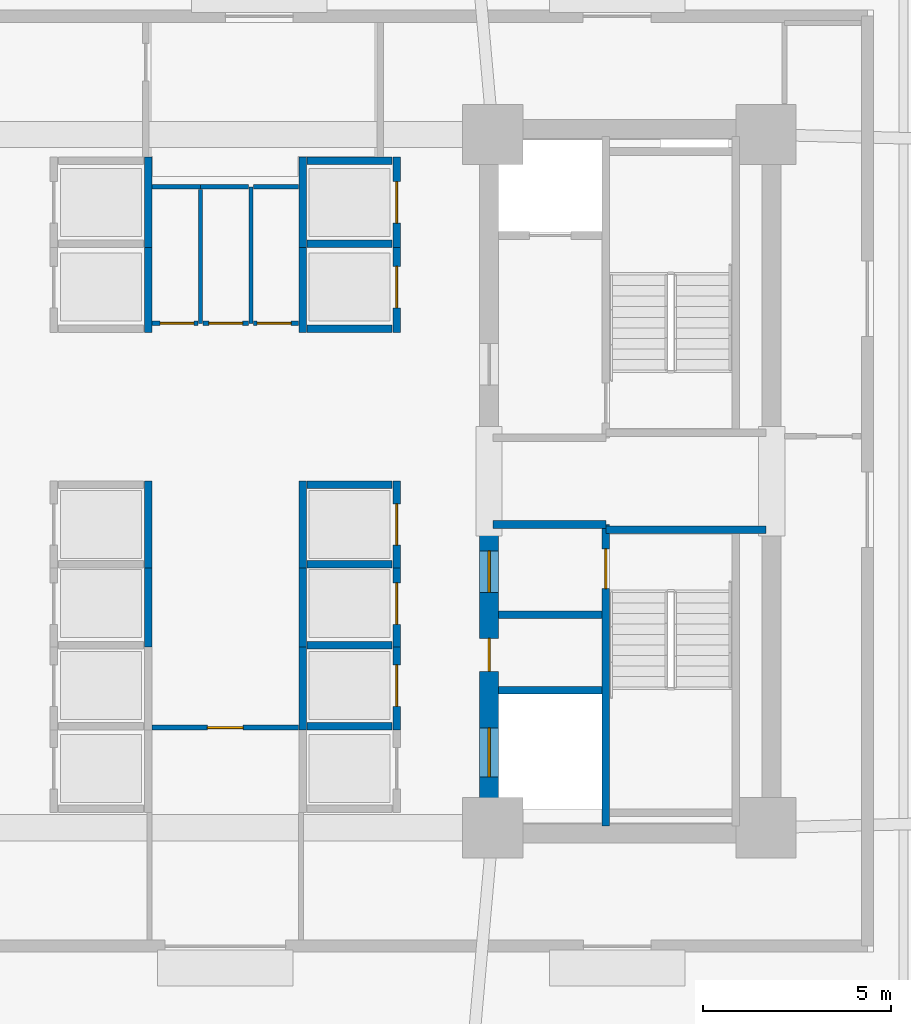
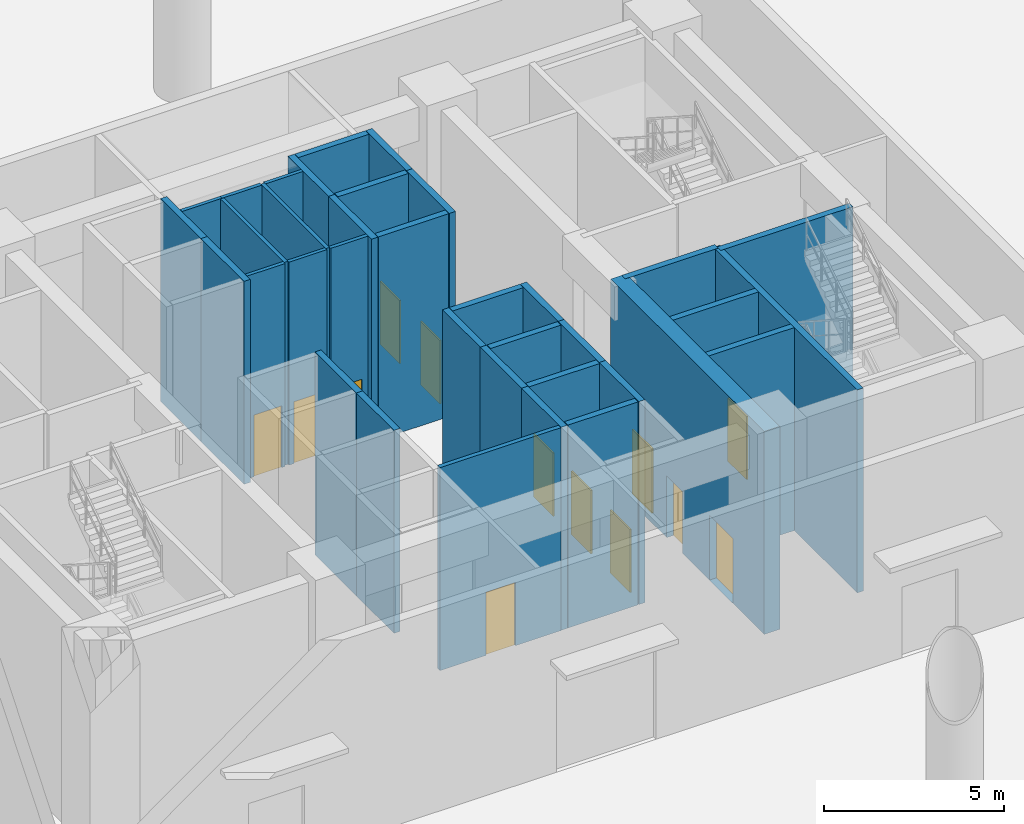
# One storey, part 4 of 10: 36 walls, 13 doors, 13 openings.
"""IFC4 building model written with IfcOpenShell, lengths in metres."""

from ifc_helpers import new_model, si_unit, direction, frame, frame_2d, origin, place, context, subcontext, project, spatial, rectangle, extrude, source, transform, mapped, material, layer, layer_set, type_object, element, fill, save


model = new_model("IFC4")

# Units and contexts
model_context = context("Model", 3, precision=1e-05, world=origin(), true_north=direction((0.0, 1.0)))
body_context = subcontext(model_context, "Body", "Model", "MODEL_VIEW")
ifc_project = project(units=[si_unit("LENGTHUNIT", "METRE"), si_unit("AREAUNIT", "SQUARE_METRE"), si_unit("VOLUMEUNIT", "CUBIC_METRE"), si_unit("PLANEANGLEUNIT", "RADIAN"), si_unit("MASSUNIT", "GRAM", prefix="KILO")], contexts=[model_context])

# Site, building, storey
site_placement = place(None, origin())
site = spatial("IfcSite", under=ifc_project, at=site_placement, CompositionType="ELEMENT")
building_placement = place(site_placement, origin())
building = spatial("IfcBuilding", under=site, at=building_placement, Name="Zahravan Cultural Tower", CompositionType="ELEMENT")
storey_placement = place(building_placement, origin())
storey = spatial("IfcBuildingStorey", under=building, at=storey_placement, Name="L00", CompositionType="ELEMENT", Elevation=0.0)

# Wall, openings, doors
ifc_material_1 = material(Name="Concrete C60/75", Category="concrete")
ifc_layer_1 = layer(ifc_material_1, 0.5)
ifc_layer_set_1 = layer_set([ifc_layer_1], Name="Concrete C60/75")
wall_type_1 = type_object("IfcWallType", Name="CW-SHEAR-500-C60", PredefinedType="SHEAR", material=ifc_layer_set_1)
wall_1_placement = place(storey_placement, frame((43.0, 17.39990234375, 0.0), z_axis=(0.0, 0.0, 1.0), x_axis=(0.0, 1.0, 0.0)))
wall_1 = element("IfcWall", 1, at=wall_1_placement, inside=storey, type_object=wall_type_1, Name="L00 Core Shear Wall CW-E-WS-L00", PredefinedType="SHEAR", context=body_context, shape_type="SweptSolid", body=[
    extrude(rectangle(XDim=8.550048828125, YDim=0.5, at=frame_2d((4.27490234375, 0.0))), origin(), (0.0, 0.0, 1.0), 6.89990234375),
])
opening_1_placement = place(wall_1_placement, frame((6.64990234375, 0.0, 0.0)))
opening_1 = element("IfcOpeningElement", 2, at=opening_1_placement, cuts=wall_1, Name="Opening D-L00-08", PredefinedType="OPENING", context=body_context, shape_type="SweptSolid", body=[
    extrude(rectangle(XDim=1.10009765625, YDim=2.199951171875, at=frame_2d((0.550048828125, 1.10009765625))), frame((0.0, 0.260009765625, 0.0), z_axis=(0.0, -1.0, 0.0), x_axis=(1.0, 0.0, 0.0)), (0.0, 0.0, 1.0), 0.52001953125),
])
opening_2_placement = place(wall_1_placement, frame((1.75, 0.0, 0.0)))
opening_2 = element("IfcOpeningElement", 3, at=opening_2_placement, cuts=wall_1, Name="Opening LD-L00-03", PredefinedType="OPENING", context=body_context, shape_type="SweptSolid", body=[
    extrude(rectangle(XDim=1.300048828125, YDim=2.199951171875, at=frame_2d((0.64990234375, 1.10009765625))), frame((0.0, 0.260009765625, 0.0), z_axis=(0.0, -1.0, 0.0), x_axis=(1.0, 0.0, 0.0)), (0.0, 0.0, 1.0), 0.52001953125),
])
opening_3_placement = place(wall_1_placement, frame((4.550048828125, 0.0, 0.0)))
opening_3 = element("IfcOpeningElement", 4, at=opening_3_placement, cuts=wall_1, Name="Opening D-L00-10", PredefinedType="OPENING", context=body_context, shape_type="SweptSolid", body=[
    extrude(rectangle(XDim=0.8798828125, YDim=2.10009765625, at=frame_2d((0.43994140625, 1.050048828125))), frame((0.0, 0.260009765625, 0.0), z_axis=(0.0, -1.0, 0.0), x_axis=(1.0, 0.0, 0.0)), (0.0, 0.0, 1.0), 0.52001953125),
])
ifc_material_2 = material(Name="Steel ASTM A572 Grade 50", Category="steel")
door_type_1 = type_object("IfcDoorType", Name="DR-LOBBY-1100", OperationType="NOTDEFINED", PredefinedType="DOOR", material=ifc_material_2)
shared_shape_1 = source(origin(), body_context, "Body", "SweptSolid", [
    extrude(rectangle(XDim=1.10009765625, YDim=2.199951171875, at=frame_2d((0.550048828125, 1.10009765625))), frame((0.0, 0.02490234375, 0.0), z_axis=(0.0, -1.0, 0.0), x_axis=(1.0, 0.0, 0.0)), (0.0, 0.0, 1.0), 0.050048828125),
])
door_1_placement = place(opening_1_placement, origin())
door_1 = element("IfcDoor", 5, at=door_1_placement, inside=storey, type_object=door_type_1, Name="L00 Door D-L00-08", OperationType="SINGLE_SWING_RIGHT", OverallHeight=2.199951171875, OverallWidth=1.10009765625, PredefinedType="DOOR", context=body_context, shape_type="MappedRepresentation", body=[
    mapped(shared_shape_1, transform((0.0, 0.0, 0.0), x_axis=(1.0, 0.0, 0.0), y_axis=(0.0, 1.0, 0.0), z_axis=(0.0, 0.0, 1.0), scale=1.0)),
])
fill(opening_1, door_1)
door_type_2 = type_object("IfcDoorType", Name="DR-LIFT-1300", OperationType="DOUBLE_DOOR_SLIDING", PredefinedType="DOOR", material=ifc_material_2)
shared_shape_2 = source(origin(), body_context, "Body", "SweptSolid", [
    extrude(rectangle(XDim=1.300048828125, YDim=2.199951171875, at=frame_2d((0.64990234375, 1.10009765625))), frame((0.0, 0.02490234375, 0.0), z_axis=(0.0, -1.0, 0.0), x_axis=(1.0, 0.0, 0.0)), (0.0, 0.0, 1.0), 0.050048828125),
])
door_2_placement = place(opening_2_placement, origin())
door_2 = element("IfcDoor", 6, at=door_2_placement, inside=storey, type_object=door_type_2, Name="L00 Door LD-L00-03", OperationType="DOUBLE_DOOR_SLIDING", OverallHeight=2.199951171875, OverallWidth=1.300048828125, PredefinedType="DOOR", context=body_context, shape_type="MappedRepresentation", body=[
    mapped(shared_shape_2, transform((0.0, 0.0, 0.0), x_axis=(1.0, 0.0, 0.0), y_axis=(0.0, 1.0, 0.0), z_axis=(0.0, 0.0, 1.0), scale=1.0)),
])
fill(opening_2, door_2)
door_type_3 = type_object("IfcDoorType", Name="DR-SVC-880", OperationType="NOTDEFINED", PredefinedType="DOOR", material=ifc_material_2)
shared_shape_3 = source(origin(), body_context, "Body", "SweptSolid", [
    extrude(rectangle(XDim=0.8798828125, YDim=2.10009765625, at=frame_2d((0.43994140625, 1.050048828125))), frame((0.0, 0.02490234375, 0.0), z_axis=(0.0, -1.0, 0.0), x_axis=(1.0, 0.0, 0.0)), (0.0, 0.0, 1.0), 0.050048828125),
])
door_3_placement = place(opening_3_placement, origin())
door_3 = element("IfcDoor", 7, at=door_3_placement, inside=storey, type_object=door_type_3, Name="L00 Door D-L00-10", OperationType="SINGLE_SWING_RIGHT", OverallHeight=2.10009765625, OverallWidth=0.8798828125, PredefinedType="DOOR", context=body_context, shape_type="MappedRepresentation", body=[
    mapped(shared_shape_3, transform((0.0, 0.0, 0.0), x_axis=(1.0, 0.0, 0.0), y_axis=(0.0, 1.0, 0.0), z_axis=(0.0, 0.0, 1.0), scale=1.0)),
])
fill(opening_3, door_3)

# Wall, opening, door
ifc_material_3 = material(Name="Gypsum plasterboard partition")
ifc_layer_2 = layer(ifc_material_3, 0.139892578125)
ifc_layer_set_2 = layer_set([ifc_layer_2], Name="Gypsum plasterboard partition")
wall_type_2 = type_object("IfcWallType", Name="W-PART-140", PredefinedType="PARTITIONING", material=ifc_layer_set_2)
wall_2_placement = place(storey_placement, frame((34.054931640625, 20.4599609375, 0.0), z_axis=(0.0, 0.0, 1.0), x_axis=(1.0, 0.0, 0.0)))
wall_2 = element("IfcWall", 8, at=wall_2_placement, inside=storey, type_object=wall_type_2, Name="L00 Interior Wall 075", PredefinedType="PARTITIONING", context=body_context, shape_type="SweptSolid", body=[
    extrude(rectangle(XDim=3.89013671875, YDim=0.139892578125, at=frame_2d((1.945068359375, 0.0))), origin(), (0.0, 0.0, 1.0), 6.89990234375),
])
opening_4_placement = place(wall_2_placement, frame((1.469970703125, 0.0, 0.0)))
opening_4 = element("IfcOpeningElement", 9, at=opening_4_placement, cuts=wall_2, Name="Opening D-L00-12", PredefinedType="OPENING", context=body_context, shape_type="SweptSolid", body=[
    extrude(rectangle(XDim=0.949951171875, YDim=2.14990234375, at=frame_2d((0.47509765625, 1.074951171875))), frame((0.0, 0.079833984375, 0.0), z_axis=(0.0, -1.0, 0.0), x_axis=(1.0, 0.0, 0.0)), (0.0, 0.0, 1.0), 0.159912109375),
])
ifc_material_4 = material(Name="Anodised bronze-aluminium mullion", Category="aluminium")
door_type_4 = type_object("IfcDoorType", Name="DR-ROOM-950", OperationType="NOTDEFINED", PredefinedType="DOOR", material=ifc_material_4)
shared_shape_4 = source(origin(), body_context, "Body", "SweptSolid", [
    extrude(rectangle(XDim=0.949951171875, YDim=2.14990234375, at=frame_2d((0.47509765625, 1.074951171875))), frame((0.0, 0.02490234375, 0.0), z_axis=(0.0, -1.0, 0.0), x_axis=(1.0, 0.0, 0.0)), (0.0, 0.0, 1.0), 0.050048828125),
])
door_4_placement = place(opening_4_placement, origin())
door_4 = element("IfcDoor", 10, at=door_4_placement, inside=storey, type_object=door_type_4, Name="L00 Door D-L00-12", OperationType="SINGLE_SWING_RIGHT", OverallHeight=2.14990234375, OverallWidth=0.949951171875, PredefinedType="DOOR", context=body_context, shape_type="MappedRepresentation", body=[
    mapped(shared_shape_4, transform((0.0, 0.0, 0.0), x_axis=(1.0, 0.0, 0.0), y_axis=(0.0, 1.0, 0.0), z_axis=(0.0, 0.0, 1.0), scale=1.0)),
])
fill(opening_4, door_4)

ifc_material_5 = material(Name="Concrete C45/55", Category="concrete")
ifc_layer_3 = layer(ifc_material_5, 0.199951171875)
ifc_layer_set_3 = layer_set([ifc_layer_3], Name="Concrete C45/55")
wall_type_3 = type_object("IfcWallType", Name="W-SHAFT-200", PredefinedType="SOLIDWALL", material=ifc_layer_set_3)
wall_3_placement = place(storey_placement, frame((46.10009765625, 17.85009765625, 0.0), z_axis=(0.0, 0.0, 1.0), x_axis=(0.0, 1.0, 0.0)))
wall_3 = element("IfcWall", 11, at=wall_3_placement, inside=storey, type_object=wall_type_3, Name="L00 Interior Wall 007", PredefinedType="SOLIDWALL", context=body_context, shape_type="SweptSolid", body=[
    extrude(rectangle(XDim=8.0, YDim=0.199951171875, at=frame_2d((4.0, 0.0))), origin(), (0.0, 0.0, 1.0), 6.89990234375),
])
opening_5_placement = place(wall_3_placement, frame((6.300048828125, 0.0, 0.0)))
opening_5 = element("IfcOpeningElement", 12, at=opening_5_placement, cuts=wall_3, Name="Opening D-L00-03", PredefinedType="OPENING", context=body_context, shape_type="SweptSolid", body=[
    extrude(rectangle(XDim=1.050048828125, YDim=2.14990234375, at=frame_2d((0.52490234375, 1.074951171875))), frame((0.0, 0.10986328125, 0.0), z_axis=(0.0, -1.0, 0.0), x_axis=(1.0, 0.0, 0.0)), (0.0, 0.0, 1.0), 0.219970703125),
])
door_type_5 = type_object("IfcDoorType", Name="DR-STAIR-1050", OperationType="NOTDEFINED", PredefinedType="DOOR", material=ifc_material_2)
shared_shape_5 = source(origin(), body_context, "Body", "SweptSolid", [
    extrude(rectangle(XDim=1.050048828125, YDim=2.14990234375, at=frame_2d((0.52490234375, 1.074951171875))), frame((0.0, 0.02490234375, 0.0), z_axis=(0.0, -1.0, 0.0), x_axis=(1.0, 0.0, 0.0)), (0.0, 0.0, 1.0), 0.050048828125),
])
door_5_placement = place(opening_5_placement, origin())
door_5 = element("IfcDoor", 13, at=door_5_placement, inside=storey, type_object=door_type_5, Name="L00 Door D-L00-03", OperationType="SINGLE_SWING_LEFT", OverallHeight=2.14990234375, OverallWidth=1.050048828125, PredefinedType="DOOR", context=body_context, shape_type="MappedRepresentation", body=[
    mapped(shared_shape_5, transform((0.0, 0.0, 0.0), x_axis=(1.0, 0.0, 0.0), y_axis=(0.0, 1.0, 0.0), z_axis=(0.0, 0.0, 1.0), scale=1.0)),
])
fill(opening_5, door_5)

wall_4_placement = place(storey_placement, frame((40.550048828125, 33.199951171875, 0.0), z_axis=(0.0, 0.0, 1.0), x_axis=(0.0, 1.0, 0.0)))
wall_4 = element("IfcWall", 14, at=wall_4_placement, inside=storey, type_object=wall_type_3, Name="L00 Interior Wall 034", PredefinedType="SOLIDWALL", context=body_context, shape_type="SweptSolid", body=[
    extrude(rectangle(XDim=2.400146484375, YDim=0.199951171875, at=frame_2d((1.2001953125, 0.0))), origin(), (0.0, 0.0, 1.0), 6.89990234375),
])
opening_6_placement = place(wall_4_placement, frame((0.64990234375, 0.0, 0.0)))
opening_6 = element("IfcOpeningElement", 15, at=opening_6_placement, cuts=wall_4, Name="Opening LD-L00-06", PredefinedType="OPENING", context=body_context, shape_type="SweptSolid", body=[
    extrude(rectangle(XDim=1.10009765625, YDim=2.14990234375, at=frame_2d((0.550048828125, 1.074951171875))), frame((0.0, 0.10986328125, 0.0), z_axis=(0.0, -1.0, 0.0), x_axis=(1.0, 0.0, 0.0)), (0.0, 0.0, 1.0), 0.219970703125),
])
door_type_6 = type_object("IfcDoorType", Name="DR-LIFT-1100", OperationType="DOUBLE_DOOR_SLIDING", PredefinedType="DOOR", material=ifc_material_2)
shared_shape_6 = source(origin(), body_context, "Body", "SweptSolid", [
    extrude(rectangle(XDim=1.10009765625, YDim=2.14990234375, at=frame_2d((0.550048828125, 1.074951171875))), frame((0.0, 0.02490234375, 0.0), z_axis=(0.0, -1.0, 0.0), x_axis=(1.0, 0.0, 0.0)), (0.0, 0.0, 1.0), 0.050048828125),
])
door_6_placement = place(opening_6_placement, origin())
door_6 = element("IfcDoor", 16, at=door_6_placement, inside=storey, type_object=door_type_6, Name="L00 Door LD-L00-06", OperationType="DOUBLE_DOOR_SLIDING", OverallHeight=2.14990234375, OverallWidth=1.10009765625, PredefinedType="DOOR", context=body_context, shape_type="MappedRepresentation", body=[
    mapped(shared_shape_6, transform((0.0, 0.0, 0.0), x_axis=(1.0, 0.0, 0.0), y_axis=(0.0, 1.0, 0.0), z_axis=(0.0, 0.0, 1.0), scale=1.0)),
])
fill(opening_6, door_6)

wall_5_placement = place(storey_placement, frame((40.550048828125, 30.949951171875, 0.0), z_axis=(0.0, 0.0, 1.0), x_axis=(0.0, 1.0, 0.0)))
wall_5 = element("IfcWall", 17, at=wall_5_placement, inside=storey, type_object=wall_type_3, Name="L00 Interior Wall 038", PredefinedType="SOLIDWALL", context=body_context, shape_type="SweptSolid", body=[
    extrude(rectangle(XDim=2.400146484375, YDim=0.199951171875, at=frame_2d((1.2001953125, 0.0))), origin(), (0.0, 0.0, 1.0), 6.89990234375),
])
opening_7_placement = place(wall_5_placement, frame((0.64990234375, 0.0, 0.0)))
opening_7 = element("IfcOpeningElement", 18, at=opening_7_placement, cuts=wall_5, Name="Opening LD-L00-07", PredefinedType="OPENING", context=body_context, shape_type="SweptSolid", body=[
    extrude(rectangle(XDim=1.10009765625, YDim=2.14990234375, at=frame_2d((0.550048828125, 1.074951171875))), frame((0.0, 0.10986328125, 0.0), z_axis=(0.0, -1.0, 0.0), x_axis=(1.0, 0.0, 0.0)), (0.0, 0.0, 1.0), 0.219970703125),
])
door_7_placement = place(opening_7_placement, origin())
door_7 = element("IfcDoor", 19, at=door_7_placement, inside=storey, type_object=door_type_6, Name="L00 Door LD-L00-07", OperationType="DOUBLE_DOOR_SLIDING", OverallHeight=2.14990234375, OverallWidth=1.10009765625, PredefinedType="DOOR", context=body_context, shape_type="MappedRepresentation", body=[
    mapped(shared_shape_6, transform((0.0, 0.0, 0.0), x_axis=(1.0, 0.0, 0.0), y_axis=(0.0, 1.0, 0.0), z_axis=(0.0, 0.0, 1.0), scale=1.0)),
])
fill(opening_7, door_7)

wall_6_placement = place(storey_placement, frame((40.550048828125, 20.39990234375, 0.0), z_axis=(0.0, 0.0, 1.0), x_axis=(0.0, 1.0, 0.0)))
wall_6 = element("IfcWall", 20, at=wall_6_placement, inside=storey, type_object=wall_type_3, Name="L00 Interior Wall 048", PredefinedType="SOLIDWALL", context=body_context, shape_type="SweptSolid", body=[
    extrude(rectangle(XDim=2.35009765625, YDim=0.199951171875, at=frame_2d((1.175048828125, 0.0))), origin(), (0.0, 0.0, 1.0), 6.89990234375),
])
opening_8_placement = place(wall_6_placement, frame((0.625, 0.0, 0.0)))
opening_8 = element("IfcOpeningElement", 21, at=opening_8_placement, cuts=wall_6, Name="Opening LD-L00-10", PredefinedType="OPENING", context=body_context, shape_type="SweptSolid", body=[
    extrude(rectangle(XDim=1.10009765625, YDim=2.14990234375, at=frame_2d((0.550048828125, 1.074951171875))), frame((0.0, 0.10986328125, 0.0), z_axis=(0.0, -1.0, 0.0), x_axis=(1.0, 0.0, 0.0)), (0.0, 0.0, 1.0), 0.219970703125),
])
door_8_placement = place(opening_8_placement, origin())
door_8 = element("IfcDoor", 22, at=door_8_placement, inside=storey, type_object=door_type_6, Name="L00 Door LD-L00-10", OperationType="DOUBLE_DOOR_SLIDING", OverallHeight=2.14990234375, OverallWidth=1.10009765625, PredefinedType="DOOR", context=body_context, shape_type="MappedRepresentation", body=[
    mapped(shared_shape_6, transform((0.0, 0.0, 0.0), x_axis=(1.0, 0.0, 0.0), y_axis=(0.0, 1.0, 0.0), z_axis=(0.0, 0.0, 1.0), scale=1.0)),
])
fill(opening_8, door_8)

wall_7_placement = place(storey_placement, frame((40.550048828125, 24.699951171875, 0.0), z_axis=(0.0, 0.0, 1.0), x_axis=(0.0, 1.0, 0.0)))
wall_7 = element("IfcWall", 23, at=wall_7_placement, inside=storey, type_object=wall_type_3, Name="L00 Interior Wall 061", PredefinedType="SOLIDWALL", context=body_context, shape_type="SweptSolid", body=[
    extrude(rectangle(XDim=2.300048828125, YDim=0.199951171875, at=frame_2d((1.14990234375, 0.0))), origin(), (0.0, 0.0, 1.0), 6.89990234375),
])
opening_9_placement = place(wall_7_placement, frame((0.60009765625, 0.0, 0.0)))
opening_9 = element("IfcOpeningElement", 24, at=opening_9_placement, cuts=wall_7, Name="Opening LD-L00-14", PredefinedType="OPENING", context=body_context, shape_type="SweptSolid", body=[
    extrude(rectangle(XDim=1.10009765625, YDim=2.14990234375, at=frame_2d((0.550048828125, 1.074951171875))), frame((0.0, 0.10986328125, 0.0), z_axis=(0.0, -1.0, 0.0), x_axis=(1.0, 0.0, 0.0)), (0.0, 0.0, 1.0), 0.219970703125),
])
door_9_placement = place(opening_9_placement, origin())
door_9 = element("IfcDoor", 25, at=door_9_placement, inside=storey, type_object=door_type_6, Name="L00 Door LD-L00-14", OperationType="DOUBLE_DOOR_SLIDING", OverallHeight=2.14990234375, OverallWidth=1.10009765625, PredefinedType="DOOR", context=body_context, shape_type="MappedRepresentation", body=[
    mapped(shared_shape_6, transform((0.0, 0.0, 0.0), x_axis=(1.0, 0.0, 0.0), y_axis=(0.0, 1.0, 0.0), z_axis=(0.0, 0.0, 1.0), scale=1.0)),
])
fill(opening_9, door_9)

wall_8_placement = place(storey_placement, frame((40.550048828125, 22.60009765625, 0.0), z_axis=(0.0, 0.0, 1.0), x_axis=(0.0, 1.0, 0.0)))
wall_8 = element("IfcWall", 26, at=wall_8_placement, inside=storey, type_object=wall_type_3, Name="L00 Interior Wall 065", PredefinedType="SOLIDWALL", context=body_context, shape_type="SweptSolid", body=[
    extrude(rectangle(XDim=2.2998046875, YDim=0.199951171875, at=frame_2d((1.14990234375, 0.0))), origin(), (0.0, 0.0, 1.0), 6.89990234375),
])
opening_10_placement = place(wall_8_placement, frame((0.60009765625, 0.0, 0.0)))
opening_10 = element("IfcOpeningElement", 27, at=opening_10_placement, cuts=wall_8, Name="Opening LD-L00-15", PredefinedType="OPENING", context=body_context, shape_type="SweptSolid", body=[
    extrude(rectangle(XDim=1.10009765625, YDim=2.14990234375, at=frame_2d((0.550048828125, 1.074951171875))), frame((0.0, 0.10986328125, 0.0), z_axis=(0.0, -1.0, 0.0), x_axis=(1.0, 0.0, 0.0)), (0.0, 0.0, 1.0), 0.219970703125),
])
door_10_placement = place(opening_10_placement, origin())
door_10 = element("IfcDoor", 28, at=door_10_placement, inside=storey, type_object=door_type_6, Name="L00 Door LD-L00-15", OperationType="DOUBLE_DOOR_SLIDING", OverallHeight=2.14990234375, OverallWidth=1.10009765625, PredefinedType="DOOR", context=body_context, shape_type="MappedRepresentation", body=[
    mapped(shared_shape_6, transform((0.0, 0.0, 0.0), x_axis=(1.0, 0.0, 0.0), y_axis=(0.0, 1.0, 0.0), z_axis=(0.0, 0.0, 1.0), scale=1.0)),
])
fill(opening_10, door_10)

ifc_layer_4 = layer(ifc_material_3, 0.114990234375)
ifc_layer_set_4 = layer_set([ifc_layer_4], Name="Gypsum plasterboard partition")
wall_type_4 = type_object("IfcWallType", Name="W-WC-115", PredefinedType="PARTITIONING", material=ifc_layer_set_4)
wall_9_placement = place(storey_placement, frame((37.945068359375, 31.18994140625, 0.0), z_axis=(0.0, 0.0, 1.0), x_axis=(-1.0, 0.0, 0.0)))
wall_9 = element("IfcWall", 29, at=wall_9_placement, inside=storey, type_object=wall_type_4, Name="L00 Interior Wall 068", PredefinedType="PARTITIONING", context=body_context, shape_type="SweptSolid", body=[
    extrude(rectangle(XDim=1.20263671875, YDim=0.114990234375, at=frame_2d((0.601318359375, 0.0))), origin(), (0.0, 0.0, 1.0), 6.89990234375),
])
opening_11_placement = place(wall_9_placement, frame((0.19970703125, 0.0, 0.0)))
opening_11 = element("IfcOpeningElement", 30, at=opening_11_placement, cuts=wall_9, Name="Opening D-L00-15", PredefinedType="OPENING", context=body_context, shape_type="SweptSolid", body=[
    extrude(rectangle(XDim=0.89990234375, YDim=2.10009765625, at=frame_2d((0.449951171875, 1.050048828125))), frame((0.0, 0.0673828125, 0.0), z_axis=(0.0, -1.0, 0.0), x_axis=(1.0, 0.0, 0.0)), (0.0, 0.0, 1.0), 0.135009765625),
])
door_type_7 = type_object("IfcDoorType", Name="DR-WC-900", OperationType="NOTDEFINED", PredefinedType="DOOR", material=ifc_material_4)
shared_shape_7 = source(origin(), body_context, "Body", "SweptSolid", [
    extrude(rectangle(XDim=0.89990234375, YDim=2.10009765625, at=frame_2d((0.449951171875, 1.050048828125))), frame((0.0, 0.02490234375, 0.0), z_axis=(0.0, -1.0, 0.0), x_axis=(1.0, 0.0, 0.0)), (0.0, 0.0, 1.0), 0.050048828125),
])
door_11_placement = place(opening_11_placement, origin())
door_11 = element("IfcDoor", 31, at=door_11_placement, inside=storey, type_object=door_type_7, Name="L00 Door D-L00-15", OperationType="SINGLE_SWING_LEFT", OverallHeight=2.10009765625, OverallWidth=0.89990234375, PredefinedType="DOOR", context=body_context, shape_type="MappedRepresentation", body=[
    mapped(shared_shape_7, transform((0.0, 0.0, 0.0), x_axis=(1.0, 0.0, 0.0), y_axis=(0.0, 1.0, 0.0), z_axis=(0.0, 0.0, 1.0), scale=1.0)),
])
fill(opening_11, door_11)

wall_10_placement = place(storey_placement, frame((35.277587890625, 31.18994140625, 0.0), z_axis=(0.0, 0.0, 1.0), x_axis=(-1.0, 0.0, 0.0)))
wall_10 = element("IfcWall", 32, at=wall_10_placement, inside=storey, type_object=wall_type_4, Name="L00 Interior Wall 071", PredefinedType="PARTITIONING", context=body_context, shape_type="SweptSolid", body=[
    extrude(rectangle(XDim=1.22265625, YDim=0.114990234375, at=frame_2d((0.611328125, 0.0))), origin(), (0.0, 0.0, 1.0), 6.89990234375),
])
opening_12_placement = place(wall_10_placement, frame((0.10986328125, 0.0, 0.0)))
opening_12 = element("IfcOpeningElement", 33, at=opening_12_placement, cuts=wall_10, Name="Opening D-L00-13", PredefinedType="OPENING", context=body_context, shape_type="SweptSolid", body=[
    extrude(rectangle(XDim=0.89990234375, YDim=2.10009765625, at=frame_2d((0.449951171875, 1.050048828125))), frame((0.0, 0.0673828125, 0.0), z_axis=(0.0, -1.0, 0.0), x_axis=(1.0, 0.0, 0.0)), (0.0, 0.0, 1.0), 0.135009765625),
])
door_12_placement = place(opening_12_placement, origin())
door_12 = element("IfcDoor", 34, at=door_12_placement, inside=storey, type_object=door_type_7, Name="L00 Door D-L00-13", OperationType="SINGLE_SWING_LEFT", OverallHeight=2.10009765625, OverallWidth=0.89990234375, PredefinedType="DOOR", context=body_context, shape_type="MappedRepresentation", body=[
    mapped(shared_shape_7, transform((0.0, 0.0, 0.0), x_axis=(1.0, 0.0, 0.0), y_axis=(0.0, 1.0, 0.0), z_axis=(0.0, 0.0, 1.0), scale=1.0)),
])
fill(opening_12, door_12)

wall_11_placement = place(storey_placement, frame((36.617431640625, 31.18994140625, 0.0), z_axis=(0.0, 0.0, 1.0), x_axis=(-1.0, 0.0, 0.0)))
wall_11 = element("IfcWall", 35, at=wall_11_placement, inside=storey, type_object=wall_type_4, Name="L00 Interior Wall 073", PredefinedType="PARTITIONING", context=body_context, shape_type="SweptSolid", body=[
    extrude(rectangle(XDim=1.21484375, YDim=0.114990234375, at=frame_2d((0.607421875, 0.0))), origin(), (0.0, 0.0, 1.0), 6.89990234375),
])
opening_13_placement = place(wall_11_placement, frame((0.157470703125, 0.0, 0.0)))
opening_13 = element("IfcOpeningElement", 36, at=opening_13_placement, cuts=wall_11, Name="Opening D-L00-14", PredefinedType="OPENING", context=body_context, shape_type="SweptSolid", body=[
    extrude(rectangle(XDim=0.89990234375, YDim=2.10009765625, at=frame_2d((0.449951171875, 1.050048828125))), frame((0.0, 0.0673828125, 0.0), z_axis=(0.0, -1.0, 0.0), x_axis=(1.0, 0.0, 0.0)), (0.0, 0.0, 1.0), 0.135009765625),
])
door_13_placement = place(opening_13_placement, origin())
door_13 = element("IfcDoor", 37, at=door_13_placement, inside=storey, type_object=door_type_7, Name="L00 Door D-L00-14", OperationType="SINGLE_SWING_RIGHT", OverallHeight=2.10009765625, OverallWidth=0.89990234375, PredefinedType="DOOR", context=body_context, shape_type="MappedRepresentation", body=[
    mapped(shared_shape_7, transform((0.0, 0.0, 0.0), x_axis=(1.0, 0.0, 0.0), y_axis=(0.0, 1.0, 0.0), z_axis=(0.0, 0.0, 1.0), scale=1.0)),
])
fill(opening_13, door_13)

# Walls
shared_shape_8 = source(origin(), body_context, "Body", "SweptSolid", [
    extrude(rectangle(XDim=4.25, YDim=0.199951171875, at=frame_2d((2.125, 0.0))), origin(), (0.0, 0.0, 1.0), 6.89990234375),
])
wall_12_placement = place(storey_placement, frame((46.10009765625, 25.715087890625, 0.0), z_axis=(0.0, 0.0, 1.0), x_axis=(1.0, 0.0, 0.0)))
element("IfcWall", 38, at=wall_12_placement, inside=storey, type_object=wall_type_3, Name="L00 Interior Wall 014", PredefinedType="SOLIDWALL", context=body_context, shape_type="MappedRepresentation", body=[
    mapped(shared_shape_8, transform((0.0, 0.0, 0.0), x_axis=(1.0, 0.0, 0.0), y_axis=(0.0, 1.0, 0.0), z_axis=(0.0, 0.0, 1.0), scale=1.0)),
])
shared_shape_9 = source(origin(), body_context, "Body", "SweptSolid", [
    extrude(rectangle(XDim=3.0, YDim=0.199951171875, at=frame_2d((1.5, 0.0))), origin(), (0.0, 0.0, 1.0), 6.89990234375),
])
wall_13_placement = place(storey_placement, frame((43.10009765625, 25.85009765625, 0.0), z_axis=(0.0, 0.0, 1.0), x_axis=(1.0, 0.0, 0.0)))
element("IfcWall", 39, at=wall_13_placement, inside=storey, type_object=wall_type_3, Name="L00 Interior Wall 013", PredefinedType="SOLIDWALL", context=body_context, shape_type="MappedRepresentation", body=[
    mapped(shared_shape_9, transform((0.0, 0.0, 0.0), x_axis=(1.0, 0.0, 0.0), y_axis=(0.0, 1.0, 0.0), z_axis=(0.0, 0.0, 1.0), scale=1.0)),
])
shared_shape_10 = source(origin(), body_context, "Body", "SweptSolid", [
    extrude(rectangle(XDim=2.75, YDim=0.199951171875, at=frame_2d((1.375, 0.0))), origin(), (0.0, 0.0, 1.0), 6.89990234375),
])
for number, where, z_axis, x_axis, name in (
    (40, (43.25, 23.449951171875, 0.0), (0.0, 0.0, 1.0), (1.0, 0.0, 0.0), "L00 Interior Wall 024"),
    (41, (43.25, 21.449951171875, 0.0), (0.0, 0.0, 1.0), (1.0, 0.0, 0.0), "L00 Interior Wall 025"),
):
    element("IfcWall", number, at=place(storey_placement, frame(where, z_axis=z_axis, x_axis=x_axis)), inside=storey, type_object=wall_type_3, Name=name, PredefinedType="SOLIDWALL", context=body_context, shape_type="MappedRepresentation", body=[
        mapped(shared_shape_10, transform((0.0, 0.0, 0.0), x_axis=(1.0, 0.0, 0.0), y_axis=(0.0, 1.0, 0.0), z_axis=(0.0, 0.0, 1.0), scale=1.0)),
    ])
shared_shape_11 = source(origin(), body_context, "Body", "SweptSolid", [
    extrude(rectangle(XDim=2.400146484375, YDim=0.199951171875, at=frame_2d((1.2001953125, 0.0))), origin(), (0.0, 0.0, 1.0), 6.89990234375),
])
for number, where, z_axis, x_axis, name in (
    (42, (33.949951171875, 33.199951171875, 0.0), (0.0, 0.0, 1.0), (0.0, 1.0, 0.0), "L00 Interior Wall 027"),
    (43, (33.949951171875, 30.949951171875, 0.0), (0.0, 0.0, 1.0), (0.0, 1.0, 0.0), "L00 Interior Wall 031"),
    (44, (38.050048828125, 33.199951171875, 0.0), (0.0, 0.0, 1.0), (0.0, 1.0, 0.0), "L00 Interior Wall 033"),
    (45, (38.050048828125, 30.949951171875, 0.0), (0.0, 0.0, 1.0), (0.0, 1.0, 0.0), "L00 Interior Wall 037"),
):
    element("IfcWall", number, at=place(storey_placement, frame(where, z_axis=z_axis, x_axis=x_axis)), inside=storey, type_object=wall_type_3, Name=name, PredefinedType="SOLIDWALL", context=body_context, shape_type="MappedRepresentation", body=[
        mapped(shared_shape_11, transform((0.0, 0.0, 0.0), x_axis=(1.0, 0.0, 0.0), y_axis=(0.0, 1.0, 0.0), z_axis=(0.0, 0.0, 1.0), scale=1.0)),
    ])
shared_shape_12 = source(origin(), body_context, "Body", "SweptSolid", [
    extrude(rectangle(XDim=2.260009765625, YDim=0.199951171875, at=frame_2d((1.1298828125, 0.0))), origin(), (0.0, 0.0, 1.0), 6.89990234375),
])
for number, where, z_axis, x_axis, name in (
    (46, (38.169921875, 33.300048828125, 0.0), (0.0, 0.0, 1.0), (1.0, 0.0, 0.0), "L00 Interior Wall 035"),
    (47, (38.169921875, 35.5, 0.0), (0.0, 0.0, 1.0), (1.0, 0.0, 0.0), "L00 Interior Wall 036"),
    (48, (38.169921875, 31.050048828125, 0.0), (0.0, 0.0, 1.0), (1.0, 0.0, 0.0), "L00 Interior Wall 039"),
    (49, (38.169921875, 20.5, 0.0), (0.0, 0.0, 1.0), (1.0, 0.0, 0.0), "L00 Interior Wall 049"),
    (50, (38.169921875, 22.64990234375, 0.0), (0.0, 0.0, 1.0), (1.0, 0.0, 0.0), "L00 Interior Wall 050"),
    (51, (38.169921875, 24.800048828125, 0.0), (0.0, 0.0, 1.0), (1.0, 0.0, 0.0), "L00 Interior Wall 062"),
    (52, (38.169921875, 26.89990234375, 0.0), (0.0, 0.0, 1.0), (1.0, 0.0, 0.0), "L00 Interior Wall 063"),
):
    element("IfcWall", number, at=place(storey_placement, frame(where, z_axis=z_axis, x_axis=x_axis)), inside=storey, type_object=wall_type_3, Name=name, PredefinedType="SOLIDWALL", context=body_context, shape_type="MappedRepresentation", body=[
        mapped(shared_shape_12, transform((0.0, 0.0, 0.0), x_axis=(1.0, 0.0, 0.0), y_axis=(0.0, 1.0, 0.0), z_axis=(0.0, 0.0, 1.0), scale=1.0)),
    ])
shared_shape_13 = source(origin(), body_context, "Body", "SweptSolid", [
    extrude(rectangle(XDim=2.35009765625, YDim=0.199951171875, at=frame_2d((1.175048828125, 0.0))), origin(), (0.0, 0.0, 1.0), 6.89990234375),
])
wall_14_placement = place(storey_placement, frame((38.050048828125, 20.39990234375, 0.0), z_axis=(0.0, 0.0, 1.0), x_axis=(0.0, 1.0, 0.0)))
element("IfcWall", 53, at=wall_14_placement, inside=storey, type_object=wall_type_3, Name="L00 Interior Wall 047", PredefinedType="SOLIDWALL", context=body_context, shape_type="MappedRepresentation", body=[
    mapped(shared_shape_13, transform((0.0, 0.0, 0.0), x_axis=(1.0, 0.0, 0.0), y_axis=(0.0, 1.0, 0.0), z_axis=(0.0, 0.0, 1.0), scale=1.0)),
])
shared_shape_14 = source(origin(), body_context, "Body", "SweptSolid", [
    extrude(rectangle(XDim=2.300048828125, YDim=0.199951171875, at=frame_2d((1.14990234375, 0.0))), origin(), (0.0, 0.0, 1.0), 6.89990234375),
])
for number, where, z_axis, x_axis, name in (
    (54, (33.949951171875, 24.699951171875, 0.0), (0.0, 0.0, 1.0), (0.0, 1.0, 0.0), "L00 Interior Wall 055"),
    (55, (38.050048828125, 24.699951171875, 0.0), (0.0, 0.0, 1.0), (0.0, 1.0, 0.0), "L00 Interior Wall 060"),
):
    element("IfcWall", number, at=place(storey_placement, frame(where, z_axis=z_axis, x_axis=x_axis)), inside=storey, type_object=wall_type_3, Name=name, PredefinedType="SOLIDWALL", context=body_context, shape_type="MappedRepresentation", body=[
        mapped(shared_shape_14, transform((0.0, 0.0, 0.0), x_axis=(1.0, 0.0, 0.0), y_axis=(0.0, 1.0, 0.0), z_axis=(0.0, 0.0, 1.0), scale=1.0)),
    ])
shared_shape_15 = source(origin(), body_context, "Body", "SweptSolid", [
    extrude(rectangle(XDim=2.2998046875, YDim=0.199951171875, at=frame_2d((1.14990234375, 0.0))), origin(), (0.0, 0.0, 1.0), 6.89990234375),
])
for number, where, z_axis, x_axis, name in (
    (56, (33.949951171875, 22.60009765625, 0.0), (0.0, 0.0, 1.0), (0.0, 1.0, 0.0), "L00 Interior Wall 059"),
    (57, (38.050048828125, 22.60009765625, 0.0), (0.0, 0.0, 1.0), (0.0, 1.0, 0.0), "L00 Interior Wall 064"),
):
    element("IfcWall", number, at=place(storey_placement, frame(where, z_axis=z_axis, x_axis=x_axis)), inside=storey, type_object=wall_type_3, Name=name, PredefinedType="SOLIDWALL", context=body_context, shape_type="MappedRepresentation", body=[
        mapped(shared_shape_15, transform((0.0, 0.0, 0.0), x_axis=(1.0, 0.0, 0.0), y_axis=(0.0, 1.0, 0.0), z_axis=(0.0, 0.0, 1.0), scale=1.0)),
    ])
shared_shape_16 = source(origin(), body_context, "Body", "SweptSolid", [
    extrude(rectangle(XDim=3.6201171875, YDim=0.114990234375, at=frame_2d((1.81005859375, 0.0))), origin(), (0.0, 0.0, 1.0), 6.89990234375),
])
wall_15_placement = place(storey_placement, frame((36.679931640625, 31.18994140625, 0.0), z_axis=(0.0, 0.0, 1.0), x_axis=(0.0, 1.0, 0.0)))
element("IfcWall", 58, at=wall_15_placement, inside=storey, type_object=wall_type_4, Name="L00 Interior Wall 066", PredefinedType="PARTITIONING", context=body_context, shape_type="MappedRepresentation", body=[
    mapped(shared_shape_16, transform((0.0, 0.0, 0.0), x_axis=(1.0, 0.0, 0.0), y_axis=(0.0, 1.0, 0.0), z_axis=(0.0, 0.0, 1.0), scale=1.0)),
])
shared_shape_17 = source(origin(), body_context, "Body", "SweptSolid", [
    extrude(rectangle(XDim=1.20263671875, YDim=0.114990234375, at=frame_2d((0.601318359375, 0.0))), origin(), (0.0, 0.0, 1.0), 6.89990234375),
])
wall_16_placement = place(storey_placement, frame((36.742431640625, 34.81005859375, 0.0), z_axis=(0.0, 0.0, 1.0), x_axis=(1.0, 0.0, 0.0)))
element("IfcWall", 59, at=wall_16_placement, inside=storey, type_object=wall_type_4, Name="L00 Interior Wall 067", PredefinedType="PARTITIONING", context=body_context, shape_type="MappedRepresentation", body=[
    mapped(shared_shape_17, transform((0.0, 0.0, 0.0), x_axis=(1.0, 0.0, 0.0), y_axis=(0.0, 1.0, 0.0), z_axis=(0.0, 0.0, 1.0), scale=1.0)),
])
shared_shape_18 = source(origin(), body_context, "Body", "SweptSolid", [
    extrude(rectangle(XDim=1.28515625, YDim=0.114990234375, at=frame_2d((0.642578125, 0.0))), origin(), (0.0, 0.0, 1.0), 6.89990234375),
])
wall_17_placement = place(storey_placement, frame((34.054931640625, 34.81005859375, 0.0), z_axis=(0.0, 0.0, 1.0), x_axis=(1.0, 0.0, 0.0)))
element("IfcWall", 60, at=wall_17_placement, inside=storey, type_object=wall_type_4, Name="L00 Interior Wall 069", PredefinedType="PARTITIONING", context=body_context, shape_type="MappedRepresentation", body=[
    mapped(shared_shape_18, transform((0.0, 0.0, 0.0), x_axis=(1.0, 0.0, 0.0), y_axis=(0.0, 1.0, 0.0), z_axis=(0.0, 0.0, 1.0), scale=1.0)),
])
shared_shape_19 = source(origin(), body_context, "Body", "SweptSolid", [
    extrude(rectangle(XDim=3.5576171875, YDim=0.114990234375, at=frame_2d((1.77880859375, 0.0))), origin(), (0.0, 0.0, 1.0), 6.89990234375),
])
wall_18_placement = place(storey_placement, frame((35.340087890625, 34.74755859375, 0.0), z_axis=(0.0, 0.0, 1.0), x_axis=(0.0, -1.0, 0.0)))
element("IfcWall", 61, at=wall_18_placement, inside=storey, type_object=wall_type_4, Name="L00 Interior Wall 070", PredefinedType="PARTITIONING", context=body_context, shape_type="MappedRepresentation", body=[
    mapped(shared_shape_19, transform((0.0, 0.0, 0.0), x_axis=(1.0, 0.0, 0.0), y_axis=(0.0, 1.0, 0.0), z_axis=(0.0, 0.0, 1.0), scale=1.0)),
])
shared_shape_20 = source(origin(), body_context, "Body", "SweptSolid", [
    extrude(rectangle(XDim=1.27734375, YDim=0.114990234375, at=frame_2d((0.638671875, 0.0))), origin(), (0.0, 0.0, 1.0), 6.89990234375),
])
wall_19_placement = place(storey_placement, frame((35.340087890625, 34.81005859375, 0.0), z_axis=(0.0, 0.0, 1.0), x_axis=(1.0, 0.0, 0.0)))
element("IfcWall", 62, at=wall_19_placement, inside=storey, type_object=wall_type_4, Name="L00 Interior Wall 072", PredefinedType="PARTITIONING", context=body_context, shape_type="MappedRepresentation", body=[
    mapped(shared_shape_20, transform((0.0, 0.0, 0.0), x_axis=(1.0, 0.0, 0.0), y_axis=(0.0, 1.0, 0.0), z_axis=(0.0, 0.0, 1.0), scale=1.0)),
])

save(model, "model.ifc")
